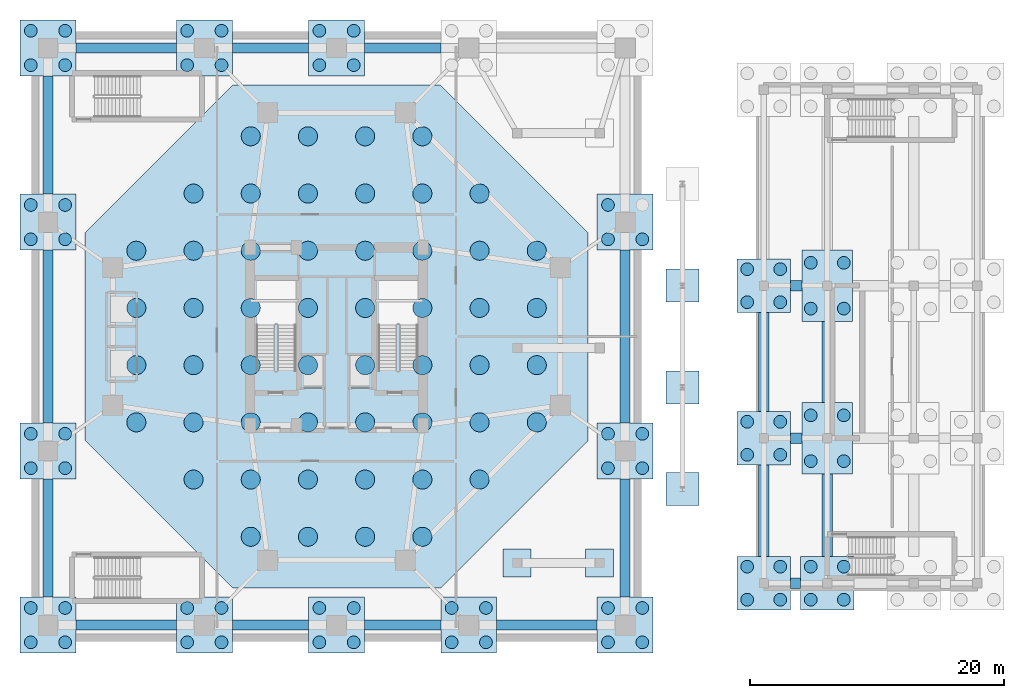
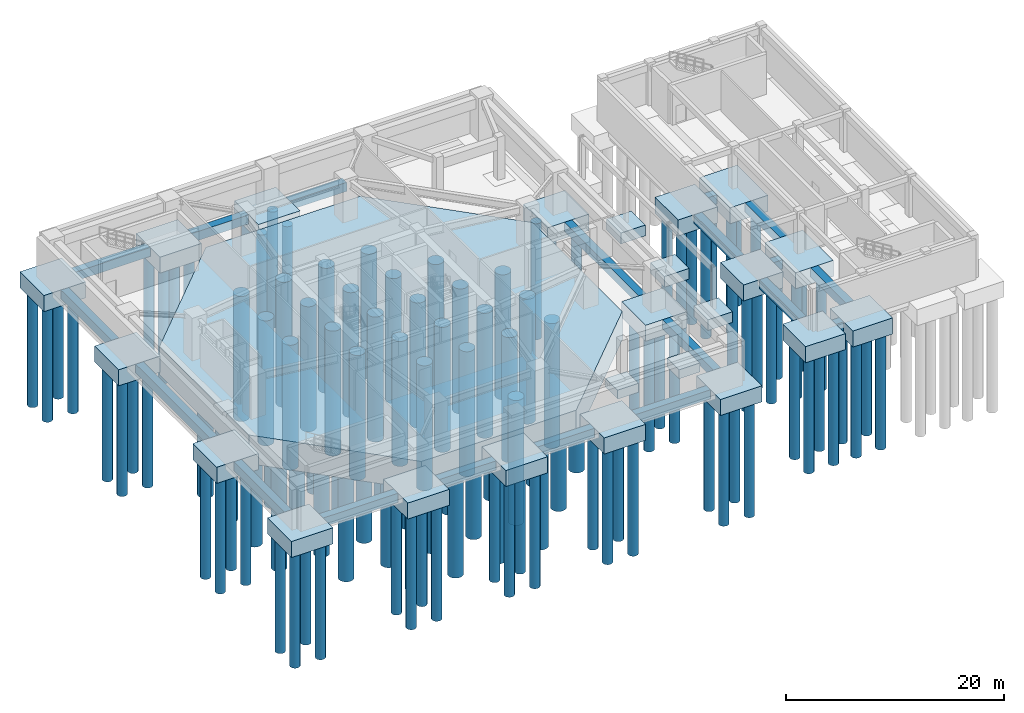
# One storey, part 1 of 11: 123 piles, 43 footings.
"""IFC4 building model written with IfcOpenShell, lengths in metres."""

import ifcopenshell
import ifcopenshell.guid

model = None  # the IFC model being written
_history = None  # IfcOwnerHistory: only IFC2X3 demands one
_inside = {}  # id of a spatial element -> (the spatial element, [elements in it])
_under = {}  # id of a project, library or spatial element -> (it, [spatial elements below it])
_declared = {}  # id of a project -> (the project, [libraries it declares])
_typed = {}  # id of a type object -> (the type object, [elements of that type])
_made_of = {}  # id of a material, layer set ... -> (it, [elements and type objects made of it])


def new_model(schema):
    """Start an empty IFC model of exactly this schema.

    Asked for "IFC4X3", IfcOpenShell would pick the latest addendum, in which some entities
    have other attributes; the version numbers below select the first issue.
    IFC2X3 requires an IfcOwnerHistory on every rooted entity: one is made here for all.
    """
    global model, _history
    if schema == "IFC4X3":
        model = ifcopenshell.file(schema_version=(4, 3, 0, 0))
    else:
        model = ifcopenshell.file(schema=schema)
    _inside.clear()
    _under.clear()
    _declared.clear()
    _typed.clear()
    _made_of.clear()
    _history = None
    if model.schema == "IFC2X3":
        org = make("IfcOrganization", Name="unknown")
        user = make(
            "IfcPersonAndOrganization",
            ThePerson=make("IfcPerson", FamilyName="unknown"),
            TheOrganization=org,
        )
        app = make(
            "IfcApplication",
            ApplicationDeveloper=org,
            Version="unknown",
            ApplicationFullName="unknown",
            ApplicationIdentifier="unknown",
        )
        _history = make(
            "IfcOwnerHistory",
            OwningUser=user,
            OwningApplication=app,
            ChangeAction="ADDED",
            CreationDate=0,
        )
    return model


def make(cls, **values):
    """One entity of the class cls with the attributes given. An attribute that is None is left unset."""
    return model.create_entity(
        cls, **{name: value for name, value in values.items() if value is not None}
    )


def rooted(cls, **values):
    """An entity with a GlobalId (a new one), such as an element, a storey or a relation."""
    return make(cls, GlobalId=ifcopenshell.guid.new(), OwnerHistory=_history, **values)


def si_unit(unit_type, name, prefix=None):
    """IfcSIUnit, for example si_unit("LENGTHUNIT", "METRE", prefix="MILLI")."""
    return make("IfcSIUnit", UnitType=unit_type, Prefix=prefix, Name=name)


def assignment(units):
    """IfcUnitAssignment: the units of a project."""
    return None if units is None else make("IfcUnitAssignment", Units=units)


def point(xyz):
    """IfcCartesianPoint."""
    return None if xyz is None else make("IfcCartesianPoint", Coordinates=xyz)


def direction(xyz):
    """IfcDirection."""
    return None if xyz is None else make("IfcDirection", DirectionRatios=xyz)


def frame(location, z_axis=None, x_axis=None):
    """IfcAxis2Placement3D, a coordinate frame: its origin and axes. An axis left out is left unset."""
    return make(
        "IfcAxis2Placement3D",
        Location=point(location),
        Axis=direction(z_axis),
        RefDirection=direction(x_axis),
    )


def frame_2d(location, x_axis=None):
    """IfcAxis2Placement2D, a coordinate frame in the plane: its origin and x axis."""
    return make(
        "IfcAxis2Placement2D", Location=point(location), RefDirection=direction(x_axis)
    )


def origin():
    """The frame at (0, 0, 0) with its axes left unset."""
    return frame((0.0, 0.0, 0.0))


def origin_2d():
    """The frame at (0, 0) in the plane with its x axis left unset."""
    return frame_2d((0.0, 0.0))


def place(relative_to, where):
    """IfcLocalPlacement: puts the frame where relative to a parent placement (None: the world)."""
    return make(
        "IfcLocalPlacement", PlacementRelTo=relative_to, RelativePlacement=where
    )


def context(
    kind, dimensions, precision=None, world=None, true_north=None, identifier=None
):
    """IfcGeometricRepresentationContext, for example the 3D "Model" context."""
    return make(
        "IfcGeometricRepresentationContext",
        ContextIdentifier=identifier,
        ContextType=kind,
        CoordinateSpaceDimension=dimensions,
        Precision=precision,
        WorldCoordinateSystem=world,
        TrueNorth=true_north,
    )


def subcontext(parent, identifier, kind, view, scale=None):
    """IfcGeometricRepresentationSubContext, for example "Body" below "Model"."""
    return make(
        "IfcGeometricRepresentationSubContext",
        ContextIdentifier=identifier,
        ContextType=kind,
        ParentContext=parent,
        TargetScale=scale,
        TargetView=view,
    )


def project(units=None, contexts=None):
    """IfcProject with its units and contexts."""
    return rooted(
        "IfcProject",
        Name="project",
        RepresentationContexts=contexts,
        UnitsInContext=assignment(units),
    )


def spatial(cls, under=None, at=None, **own):
    """A site, building, storey or space (cls), placed at a placement, below another one or the project."""
    s = rooted(cls, ObjectPlacement=at, **own)
    if under is not None:
        _under.setdefault(under.id(), (under, []))[1].append(s)
    return s


def polyline(points):
    """IfcPolyline through the points."""
    return make("IfcPolyline", Points=[point(p) for p in points])


def profile(cls, at=None, kind="AREA", **sizes):
    """A parametric profile (cls). Its sizes go by their IFC names, for example OverallWidth=200.0."""
    return make(cls, ProfileType=kind, Position=at, **sizes)


def rectangle(**sizes):
    """IfcRectangleProfileDef."""
    return profile("IfcRectangleProfileDef", **sizes)


def circle(**sizes):
    """IfcCircleProfileDef."""
    return profile("IfcCircleProfileDef", **sizes)


def outline(outer, holes=None, kind="AREA"):
    """IfcArbitraryClosedProfileDef: a profile drawn as a closed curve; with holes, ...WithVoids."""
    if holes is None:
        return make("IfcArbitraryClosedProfileDef", ProfileType=kind, OuterCurve=outer)
    return make(
        "IfcArbitraryProfileDefWithVoids",
        ProfileType=kind,
        OuterCurve=outer,
        InnerCurves=holes,
    )


def extrude(swept, where, along, depth):
    """IfcExtrudedAreaSolid: the profile swept, set in the frame where, extruded along a direction by depth."""
    return make(
        "IfcExtrudedAreaSolid",
        SweptArea=swept,
        Position=where,
        ExtrudedDirection=direction(along),
        Depth=depth,
    )


def shape(context_of_items, identifier, shape_type, items):
    """IfcShapeRepresentation: the items that make up one representation, for example the "Body"."""
    return make(
        "IfcShapeRepresentation",
        ContextOfItems=context_of_items,
        RepresentationIdentifier=identifier,
        RepresentationType=shape_type,
        Items=items,
    )


def source(mapping_origin, context_of_items, identifier, shape_type, items):
    """IfcRepresentationMap: a shape defined once, which mapped items show again and again."""
    return make(
        "IfcRepresentationMap",
        MappingOrigin=mapping_origin,
        MappedRepresentation=shape(context_of_items, identifier, shape_type, items),
    )


def transform(
    local_origin,
    x_axis=None,
    y_axis=None,
    z_axis=None,
    scale=None,
    scale2=None,
    scale3=None,
    uniform=True,
):
    """IfcCartesianTransformationOperator3D, or its non-uniform kind. x_axis, y_axis, z_axis: its Axis1, 2, 3."""
    if uniform:
        return make(
            "IfcCartesianTransformationOperator3D",
            Axis1=direction(x_axis),
            Axis2=direction(y_axis),
            LocalOrigin=point(local_origin),
            Scale=scale,
            Axis3=direction(z_axis),
        )
    return make(
        "IfcCartesianTransformationOperator3DnonUniform",
        Axis1=direction(x_axis),
        Axis2=direction(y_axis),
        LocalOrigin=point(local_origin),
        Scale=scale,
        Axis3=direction(z_axis),
        Scale2=scale2,
        Scale3=scale3,
    )


def mapped(mapping_source, mapping_target):
    """IfcMappedItem: shows the shape of a source again, moved by a transform."""
    return make(
        "IfcMappedItem", MappingSource=mapping_source, MappingTarget=mapping_target
    )


def material(Name=None, Category=None):
    """IfcMaterial."""
    return make("IfcMaterial", Name=Name, Category=Category)


def material_profile(
    of_material, cross_section, Name=None, Category=None, Priority=None
):
    """IfcMaterialProfile: a cross section and its material."""
    return make(
        "IfcMaterialProfile",
        Name=Name,
        Material=of_material,
        Profile=cross_section,
        Priority=Priority,
        Category=Category,
    )


def profile_set(profiles, Name=None, composite=None):
    """IfcMaterialProfileSet."""
    return make(
        "IfcMaterialProfileSet",
        Name=Name,
        MaterialProfiles=profiles,
        CompositeProfile=composite,
    )


def made_of(thing, what):
    """Note that an element or type object is made of a material, layer set ...; save() writes the relation."""
    if what is not None:
        _made_of.setdefault(what.id(), (what, []))[1].append(thing)
    return thing


def type_object(cls, material=None, **own):
    """A type object (cls), such as IfcWallType, which elements share."""
    return made_of(rooted(cls, **own), material)


def element(
    cls,
    number,
    at=None,
    inside=None,
    cuts=None,
    type_object=None,
    material=None,
    context=None,
    identifier="Body",
    shape_type=None,
    held_by="IfcProductDefinitionShape",
    body=None,
    shapes=None,
    **own,
):
    """One element of the class cls, such as IfcWall. Its Tag is "e" and its number.

    at: its placement. inside: the storey or other place that contains it. cuts: it is an
    opening in that element (IfcRelVoidsElement). A single representation is given by context,
    identifier, shape_type and body (its items); several are given by shapes. held_by: the class
    of the entity that holds the representations. save() writes the other relations.
    """
    e = rooted(cls, Tag="e%d" % number, ObjectPlacement=at, **own)
    if body is not None:
        shapes = [shape(context, identifier, shape_type, body)]
    if shapes is not None:
        e.Representation = make(held_by, Representations=shapes)
    if inside is not None:
        _inside.setdefault(inside.id(), (inside, []))[1].append(e)
    if cuts is not None:
        rooted(
            "IfcRelVoidsElement", RelatingBuildingElement=cuts, RelatedOpeningElement=e
        )
    if type_object is not None:
        _typed.setdefault(type_object.id(), (type_object, []))[1].append(e)
    return made_of(e, material)


def aggregate(whole, parts):
    """IfcRelAggregates: a whole, such as a stair, and the parts it consists of."""
    return rooted("IfcRelAggregates", RelatingObject=whole, RelatedObjects=parts)


def save(model, path):
    """Write the relations noted so far, then the file.

    IfcRelAggregates (storeys below a building ...), IfcRelContainedInSpatialStructure (elements
    in a storey), IfcRelDefinesByType, IfcRelAssociatesMaterial and IfcRelDeclares: one each for
    every whole, place, type object, material and project.
    """
    for whole, parts in _under.values():
        aggregate(whole, parts)
    for where, things in _inside.values():
        rooted(
            "IfcRelContainedInSpatialStructure",
            RelatedElements=things,
            RelatingStructure=where,
        )
    for kind, things in _typed.values():
        rooted("IfcRelDefinesByType", RelatedObjects=things, RelatingType=kind)
    for what, things in _made_of.values():
        rooted("IfcRelAssociatesMaterial", RelatedObjects=things, RelatingMaterial=what)
    for by, libraries in _declared.values():
        rooted("IfcRelDeclares", RelatingContext=by, RelatedDefinitions=libraries)
    model.write(path)


model = new_model("IFC4")

# Units and contexts
model_context = context("Model", 3, precision=1e-05, world=origin(), true_north=direction((0.0, 1.0)))
body_context = subcontext(model_context, "Body", "Model", "MODEL_VIEW")
ifc_project = project(units=[si_unit("LENGTHUNIT", "METRE"), si_unit("AREAUNIT", "SQUARE_METRE"), si_unit("VOLUMEUNIT", "CUBIC_METRE"), si_unit("PLANEANGLEUNIT", "RADIAN"), si_unit("MASSUNIT", "GRAM", prefix="KILO")], contexts=[model_context])

# Site, building, storey
site_placement = place(None, origin())
site = spatial("IfcSite", under=ifc_project, at=site_placement, CompositionType="ELEMENT")
building_placement = place(site_placement, origin())
building = spatial("IfcBuilding", under=site, at=building_placement, Name="Veraguas Prism Commons", CompositionType="ELEMENT")
storey_placement = place(building_placement, frame((0.0, 0.0, -10.0)))
storey = spatial("IfcBuildingStorey", under=building, at=storey_placement, Name="B2", CompositionType="ELEMENT", Elevation=-10.0)

# Footings
ifc_material = material(Name="Concrete C45/55", Category="concrete")
footing_type_1 = type_object("IfcFootingType", Name="Octagonal Tower Piled Raft 3200", PredefinedType="CAISSON_FOUNDATION", material=ifc_material)
footing_1_placement = place(storey_placement, frame((0.0, 0.0, -3.199951171875)))
element("IfcFooting", 1, at=footing_1_placement, inside=storey, type_object=footing_type_1, Name="Octagonal Piled Raft", PredefinedType="CAISSON_FOUNDATION", context=body_context, shape_type="SweptSolid", body=[
    extrude(outline(polyline([(43.77099609375, 32.189453125), (32.189453125, 43.77099609375), (15.810546875, 43.77099609375), (4.22900390625, 32.189453125), (4.22900390625, 15.810546875), (15.810546875, 4.22900390625), (32.189453125, 4.22900390625), (43.77099609375, 15.810546875), (43.77099609375, 32.189453125)])), origin(), (0.0, 0.0, 1.0), 3.199951171875),
])
ifc_material_profile_1 = material_profile(ifc_material, rectangle(XDim=0.800048828125, YDim=1.0, at=origin_2d()), Name="RC800X1000")
ifc_profile_set_1 = profile_set([ifc_material_profile_1], Name="Concrete C45/55")
footing_type_2 = type_object("IfcFootingType", Name="Substructure Ground Tie Beam RC 800x1000", PredefinedType="FOOTING_BEAM", material=ifc_profile_set_1)
footing_2_placement = place(storey_placement, frame((3.5, 1.300048828125, -0.5), z_axis=(1.0, 0.0, 0.0), x_axis=(0.0, 1.0, 0.0)))
element("IfcFooting", 2, at=footing_2_placement, inside=storey, type_object=footing_type_2, Name="Podium Ground Tie Beam FBP-01", PredefinedType="FOOTING_BEAM", context=body_context, shape_type="SweptSolid", body=[
    extrude(rectangle(XDim=0.800048828125, YDim=1.0, at=origin_2d()), origin(), (0.0, 0.0, 1.0), 7.89990234375),
])
for number, where, z_axis, x_axis, name in (
    (3, (15.800048828125, 1.300048828125, -0.5), (1.0, 0.0, 0.0), (0.0, 1.0, 0.0), "Podium Ground Tie Beam FBP-02"),
    (4, (26.199951171875, 1.300048828125, -0.5), (1.0, 0.0, 0.0), (0.0, 1.0, 0.0), "Podium Ground Tie Beam FBP-03"),
):
    element("IfcFooting", number, at=place(storey_placement, frame(where, z_axis=z_axis, x_axis=x_axis)), inside=storey, type_object=footing_type_2, Name=name, PredefinedType="FOOTING_BEAM", context=body_context, shape_type="SweptSolid", body=[
        extrude(rectangle(XDim=0.800048828125, YDim=1.0, at=origin_2d()), origin(), (0.0, 0.0, 1.0), 6.0),
    ])
footing_3_placement = place(storey_placement, frame((36.60009765625, 1.300048828125, -0.5), z_axis=(1.0, 0.0, 0.0), x_axis=(0.0, 1.0, 0.0)))
element("IfcFooting", 5, at=footing_3_placement, inside=storey, type_object=footing_type_2, Name="Podium Ground Tie Beam FBP-04", PredefinedType="FOOTING_BEAM", context=body_context, shape_type="SweptSolid", body=[
    extrude(rectangle(XDim=0.800048828125, YDim=1.0, at=origin_2d()), origin(), (0.0, 0.0, 1.0), 7.89990234375),
])
footing_4_placement = place(storey_placement, frame((46.699951171875, 3.5, -0.5), z_axis=(0.0, 1.0, 0.0), x_axis=(-1.0, 0.0, 0.0)))
element("IfcFooting", 6, at=footing_4_placement, inside=storey, type_object=footing_type_2, Name="Podium Ground Tie Beam FBP-05", PredefinedType="FOOTING_BEAM", context=body_context, shape_type="SweptSolid", body=[
    extrude(rectangle(XDim=0.800048828125, YDim=1.0, at=origin_2d()), origin(), (0.0, 0.0, 1.0), 9.300048828125),
])
footing_5_placement = place(storey_placement, frame((46.699951171875, 17.199951171875, -0.5), z_axis=(0.0, 1.0, 0.0), x_axis=(-1.0, 0.0, 0.0)))
element("IfcFooting", 7, at=footing_5_placement, inside=storey, type_object=footing_type_2, Name="Podium Ground Tie Beam FBP-06", PredefinedType="FOOTING_BEAM", context=body_context, shape_type="SweptSolid", body=[
    extrude(rectangle(XDim=0.800048828125, YDim=1.0, at=origin_2d()), origin(), (0.0, 0.0, 1.0), 13.60009765625),
])
for number, where, z_axis, x_axis, name in (
    (8, (32.199951171875, 46.699951171875, -0.5), (-1.0, 0.0, 0.0), (0.0, -1.0, 0.0), "Podium Ground Tie Beam FBP-09"),
    (9, (21.800048828125, 46.699951171875, -0.5), (-1.0, 0.0, 0.0), (0.0, -1.0, 0.0), "Podium Ground Tie Beam FBP-10"),
):
    element("IfcFooting", number, at=place(storey_placement, frame(where, z_axis=z_axis, x_axis=x_axis)), inside=storey, type_object=footing_type_2, Name=name, PredefinedType="FOOTING_BEAM", context=body_context, shape_type="SweptSolid", body=[
        extrude(rectangle(XDim=0.800048828125, YDim=1.0, at=origin_2d()), origin(), (0.0, 0.0, 1.0), 6.0),
    ])
footing_6_placement = place(storey_placement, frame((11.39990234375, 46.699951171875, -0.5), z_axis=(-1.0, 0.0, 0.0), x_axis=(0.0, -1.0, 0.0)))
element("IfcFooting", 10, at=footing_6_placement, inside=storey, type_object=footing_type_2, Name="Podium Ground Tie Beam FBP-11", PredefinedType="FOOTING_BEAM", context=body_context, shape_type="SweptSolid", body=[
    extrude(rectangle(XDim=0.800048828125, YDim=1.0, at=origin_2d()), origin(), (0.0, 0.0, 1.0), 7.89990234375),
])
footing_7_placement = place(storey_placement, frame((1.300048828125, 44.5, -0.5), z_axis=(0.0, -1.0, 0.0), x_axis=(1.0, 0.0, 0.0)))
element("IfcFooting", 11, at=footing_7_placement, inside=storey, type_object=footing_type_2, Name="Podium Ground Tie Beam FBP-12", PredefinedType="FOOTING_BEAM", context=body_context, shape_type="SweptSolid", body=[
    extrude(rectangle(XDim=0.800048828125, YDim=1.0, at=origin_2d()), origin(), (0.0, 0.0, 1.0), 9.300048828125),
])
footing_8_placement = place(storey_placement, frame((1.300048828125, 30.800048828125, -0.5), z_axis=(0.0, -1.0, 0.0), x_axis=(1.0, 0.0, 0.0)))
element("IfcFooting", 12, at=footing_8_placement, inside=storey, type_object=footing_type_2, Name="Podium Ground Tie Beam FBP-13", PredefinedType="FOOTING_BEAM", context=body_context, shape_type="SweptSolid", body=[
    extrude(rectangle(XDim=0.800048828125, YDim=1.0, at=origin_2d()), origin(), (0.0, 0.0, 1.0), 13.60009765625),
])
footing_9_placement = place(storey_placement, frame((1.300048828125, 12.800048828125, -0.5), z_axis=(0.0, -1.0, 0.0), x_axis=(1.0, 0.0, 0.0)))
element("IfcFooting", 13, at=footing_9_placement, inside=storey, type_object=footing_type_2, Name="Podium Ground Tie Beam FBP-14", PredefinedType="FOOTING_BEAM", context=body_context, shape_type="SweptSolid", body=[
    extrude(rectangle(XDim=0.800048828125, YDim=1.0, at=origin_2d()), origin(), (0.0, 0.0, 1.0), 9.300048828125),
])
footing_10_placement = place(storey_placement, frame((59.699951171875, 4.60009765625, -0.5), z_axis=(1.0, 0.0, 0.0), x_axis=(0.0, 1.0, 0.0)))
element("IfcFooting", 14, at=footing_10_placement, inside=storey, type_object=footing_type_2, Name="Health Centre Ground Tie Beam FBC-01", PredefinedType="FOOTING_BEAM", context=body_context, shape_type="SweptSolid", body=[
    extrude(rectangle(XDim=0.800048828125, YDim=1.0, at=origin_2d()), origin(), (0.0, 0.0, 1.0), 0.800048828125),
])
for number, where, z_axis, x_axis, name in (
    (15, (59.699951171875, 16.0, -0.5), (1.0, 0.0, 0.0), (0.0, 1.0, 0.0), "Health Centre Ground Tie Beam FBC-04"),
    (16, (59.699951171875, 28.0, -0.5), (1.0, 0.0, 0.0), (0.0, 1.0, 0.0), "Health Centre Ground Tie Beam FBC-07"),
):
    element("IfcFooting", number, at=place(storey_placement, frame(where, z_axis=z_axis, x_axis=x_axis)), inside=storey, type_object=footing_type_2, Name=name, PredefinedType="FOOTING_BEAM", context=body_context, shape_type="SweptSolid", body=[
        extrude(rectangle(XDim=0.800048828125, YDim=1.0, at=origin_2d()), origin(), (0.0, 0.0, 1.0), 0.900146484375),
    ])
footing_11_placement = place(storey_placement, frame((57.60009765625, 6.699951171875, -0.5), z_axis=(0.0, 1.0, 0.0), x_axis=(-1.0, 0.0, 0.0)))
element("IfcFooting", 17, at=footing_11_placement, inside=storey, type_object=footing_type_2, Name="Health Centre Ground Tie Beam FBC-13", PredefinedType="FOOTING_BEAM", context=body_context, shape_type="SweptSolid", body=[
    extrude(rectangle(XDim=0.800048828125, YDim=1.0, at=origin_2d()), origin(), (0.0, 0.0, 1.0), 7.199951171875),
])
footing_12_placement = place(storey_placement, frame((57.60009765625, 18.10009765625, -0.5), z_axis=(0.0, 1.0, 0.0), x_axis=(-1.0, 0.0, 0.0)))
element("IfcFooting", 18, at=footing_12_placement, inside=storey, type_object=footing_type_2, Name="Health Centre Ground Tie Beam FBC-14", PredefinedType="FOOTING_BEAM", context=body_context, shape_type="SweptSolid", body=[
    extrude(rectangle(XDim=0.800048828125, YDim=1.0, at=origin_2d()), origin(), (0.0, 0.0, 1.0), 7.7998046875),
])
footing_13_placement = place(storey_placement, frame((62.60009765625, 6.699951171875, -0.5), z_axis=(0.0, 1.0, 0.0), x_axis=(-1.0, 0.0, 0.0)))
element("IfcFooting", 19, at=footing_13_placement, inside=storey, type_object=footing_type_2, Name="Health Centre Ground Tie Beam FBC-16", PredefinedType="FOOTING_BEAM", context=body_context, shape_type="SweptSolid", body=[
    extrude(rectangle(XDim=0.800048828125, YDim=1.0, at=origin_2d()), origin(), (0.0, 0.0, 1.0), 6.5),
])
footing_14_placement = place(storey_placement, frame((62.60009765625, 18.800048828125, -0.5), z_axis=(0.0, 1.0, 0.0), x_axis=(-1.0, 0.0, 0.0)))
element("IfcFooting", 20, at=footing_14_placement, inside=storey, type_object=footing_type_2, Name="Health Centre Ground Tie Beam FBC-17", PredefinedType="FOOTING_BEAM", context=body_context, shape_type="SweptSolid", body=[
    extrude(rectangle(XDim=0.800048828125, YDim=1.0, at=origin_2d()), origin(), (0.0, 0.0, 1.0), 6.39990234375),
])

# Piles
ifc_material_profile_2 = material_profile(ifc_material, circle(Radius=0.75, at=origin_2d()), Name="PILE1500")
ifc_profile_set_2 = profile_set([ifc_material_profile_2], Name="Concrete C45/55")
pile_type_1 = type_object("IfcPileType", Name="Bored Socketed Pile D1500", PredefinedType="BORED", material=ifc_profile_set_2)
shared_shape_1 = source(origin(), body_context, "Body", "SweptSolid", [
    extrude(circle(Radius=0.75, at=origin_2d()), origin(), (0.0, 0.0, 1.0), 14.0),
])
for number, where, z_axis, x_axis, name in (
    (21, (8.25, 17.25, -3.050048828125), (0.0, 0.0, -1.0), (1.0, 0.0, 0.0), "Bored Socketed Pile T001"),
    (22, (8.25, 21.75, -3.050048828125), (0.0, 0.0, -1.0), (1.0, 0.0, 0.0), "Bored Socketed Pile T002"),
    (23, (8.25, 26.25, -3.050048828125), (0.0, 0.0, -1.0), (1.0, 0.0, 0.0), "Bored Socketed Pile T003"),
    (24, (8.25, 30.75, -3.050048828125), (0.0, 0.0, -1.0), (1.0, 0.0, 0.0), "Bored Socketed Pile T004"),
    (25, (12.75, 12.75, -3.050048828125), (0.0, 0.0, -1.0), (1.0, 0.0, 0.0), "Bored Socketed Pile T005"),
    (26, (12.75, 17.25, -3.050048828125), (0.0, 0.0, -1.0), (1.0, 0.0, 0.0), "Bored Socketed Pile T006"),
    (27, (12.75, 21.75, -3.050048828125), (0.0, 0.0, -1.0), (1.0, 0.0, 0.0), "Bored Socketed Pile T007"),
    (28, (12.75, 26.25, -3.050048828125), (0.0, 0.0, -1.0), (1.0, 0.0, 0.0), "Bored Socketed Pile T008"),
    (29, (12.75, 30.75, -3.050048828125), (0.0, 0.0, -1.0), (1.0, 0.0, 0.0), "Bored Socketed Pile T009"),
    (30, (12.75, 35.25, -3.050048828125), (0.0, 0.0, -1.0), (1.0, 0.0, 0.0), "Bored Socketed Pile T010"),
    (31, (17.25, 8.25, -3.050048828125), (0.0, 0.0, -1.0), (1.0, 0.0, 0.0), "Bored Socketed Pile T011"),
    (32, (17.25, 12.75, -3.050048828125), (0.0, 0.0, -1.0), (1.0, 0.0, 0.0), "Bored Socketed Pile T012"),
    (33, (17.25, 17.25, -3.050048828125), (0.0, 0.0, -1.0), (1.0, 0.0, 0.0), "Bored Socketed Pile T013"),
    (34, (17.25, 21.75, -3.050048828125), (0.0, 0.0, -1.0), (1.0, 0.0, 0.0), "Bored Socketed Pile T014"),
    (35, (17.25, 26.25, -3.050048828125), (0.0, 0.0, -1.0), (1.0, 0.0, 0.0), "Bored Socketed Pile T015"),
    (36, (17.25, 30.75, -3.050048828125), (0.0, 0.0, -1.0), (1.0, 0.0, 0.0), "Bored Socketed Pile T016"),
    (37, (17.25, 35.25, -3.050048828125), (0.0, 0.0, -1.0), (1.0, 0.0, 0.0), "Bored Socketed Pile T017"),
    (38, (17.25, 39.75, -3.050048828125), (0.0, 0.0, -1.0), (1.0, 0.0, 0.0), "Bored Socketed Pile T018"),
    (39, (21.75, 8.25, -3.050048828125), (0.0, 0.0, -1.0), (1.0, 0.0, 0.0), "Bored Socketed Pile T019"),
    (40, (21.75, 12.75, -3.050048828125), (0.0, 0.0, -1.0), (1.0, 0.0, 0.0), "Bored Socketed Pile T020"),
    (41, (21.75, 17.25, -3.050048828125), (0.0, 0.0, -1.0), (1.0, 0.0, 0.0), "Bored Socketed Pile T021"),
    (42, (21.75, 21.75, -3.050048828125), (0.0, 0.0, -1.0), (1.0, 0.0, 0.0), "Bored Socketed Pile T022"),
    (43, (21.75, 26.25, -3.050048828125), (0.0, 0.0, -1.0), (1.0, 0.0, 0.0), "Bored Socketed Pile T023"),
    (44, (21.75, 30.75, -3.050048828125), (0.0, 0.0, -1.0), (1.0, 0.0, 0.0), "Bored Socketed Pile T024"),
    (45, (21.75, 35.25, -3.050048828125), (0.0, 0.0, -1.0), (1.0, 0.0, 0.0), "Bored Socketed Pile T025"),
    (46, (21.75, 39.75, -3.050048828125), (0.0, 0.0, -1.0), (1.0, 0.0, 0.0), "Bored Socketed Pile T026"),
    (47, (26.25, 8.25, -3.050048828125), (0.0, 0.0, -1.0), (1.0, 0.0, 0.0), "Bored Socketed Pile T027"),
    (48, (26.25, 12.75, -3.050048828125), (0.0, 0.0, -1.0), (1.0, 0.0, 0.0), "Bored Socketed Pile T028"),
    (49, (26.25, 17.25, -3.050048828125), (0.0, 0.0, -1.0), (1.0, 0.0, 0.0), "Bored Socketed Pile T029"),
    (50, (26.25, 21.75, -3.050048828125), (0.0, 0.0, -1.0), (1.0, 0.0, 0.0), "Bored Socketed Pile T030"),
    (51, (26.25, 26.25, -3.050048828125), (0.0, 0.0, -1.0), (1.0, 0.0, 0.0), "Bored Socketed Pile T031"),
    (52, (26.25, 30.75, -3.050048828125), (0.0, 0.0, -1.0), (1.0, 0.0, 0.0), "Bored Socketed Pile T032"),
    (53, (26.25, 35.25, -3.050048828125), (0.0, 0.0, -1.0), (1.0, 0.0, 0.0), "Bored Socketed Pile T033"),
    (54, (26.25, 39.75, -3.050048828125), (0.0, 0.0, -1.0), (1.0, 0.0, 0.0), "Bored Socketed Pile T034"),
    (55, (30.75, 8.25, -3.050048828125), (0.0, 0.0, -1.0), (1.0, 0.0, 0.0), "Bored Socketed Pile T035"),
    (56, (30.75, 12.75, -3.050048828125), (0.0, 0.0, -1.0), (1.0, 0.0, 0.0), "Bored Socketed Pile T036"),
    (57, (30.75, 17.25, -3.050048828125), (0.0, 0.0, -1.0), (1.0, 0.0, 0.0), "Bored Socketed Pile T037"),
    (58, (30.75, 21.75, -3.050048828125), (0.0, 0.0, -1.0), (1.0, 0.0, 0.0), "Bored Socketed Pile T038"),
    (59, (30.75, 26.25, -3.050048828125), (0.0, 0.0, -1.0), (1.0, 0.0, 0.0), "Bored Socketed Pile T039"),
    (60, (30.75, 30.75, -3.050048828125), (0.0, 0.0, -1.0), (1.0, 0.0, 0.0), "Bored Socketed Pile T040"),
    (61, (30.75, 35.25, -3.050048828125), (0.0, 0.0, -1.0), (1.0, 0.0, 0.0), "Bored Socketed Pile T041"),
    (62, (30.75, 39.75, -3.050048828125), (0.0, 0.0, -1.0), (1.0, 0.0, 0.0), "Bored Socketed Pile T042"),
    (63, (35.25, 12.75, -3.050048828125), (0.0, 0.0, -1.0), (1.0, 0.0, 0.0), "Bored Socketed Pile T043"),
    (64, (35.25, 17.25, -3.050048828125), (0.0, 0.0, -1.0), (1.0, 0.0, 0.0), "Bored Socketed Pile T044"),
    (65, (35.25, 21.75, -3.050048828125), (0.0, 0.0, -1.0), (1.0, 0.0, 0.0), "Bored Socketed Pile T045"),
    (66, (35.25, 26.25, -3.050048828125), (0.0, 0.0, -1.0), (1.0, 0.0, 0.0), "Bored Socketed Pile T046"),
    (67, (35.25, 30.75, -3.050048828125), (0.0, 0.0, -1.0), (1.0, 0.0, 0.0), "Bored Socketed Pile T047"),
    (68, (35.25, 35.25, -3.050048828125), (0.0, 0.0, -1.0), (1.0, 0.0, 0.0), "Bored Socketed Pile T048"),
    (69, (39.75, 17.25, -3.050048828125), (0.0, 0.0, -1.0), (1.0, 0.0, 0.0), "Bored Socketed Pile T049"),
    (70, (39.75, 21.75, -3.050048828125), (0.0, 0.0, -1.0), (1.0, 0.0, 0.0), "Bored Socketed Pile T050"),
    (71, (39.75, 26.25, -3.050048828125), (0.0, 0.0, -1.0), (1.0, 0.0, 0.0), "Bored Socketed Pile T051"),
    (72, (39.75, 30.75, -3.050048828125), (0.0, 0.0, -1.0), (1.0, 0.0, 0.0), "Bored Socketed Pile T052"),
):
    element("IfcPile", number, at=place(storey_placement, frame(where, z_axis=z_axis, x_axis=x_axis)), inside=storey, type_object=pile_type_1, Name=name, PredefinedType="BORED", context=body_context, shape_type="MappedRepresentation", body=[
        mapped(shared_shape_1, transform((0.0, 0.0, 0.0), scale=1.0)),
    ])

# Footings
footing_type_3 = type_object("IfcFootingType", Name="Podium 4-Pile Column Cap 4400x4400x1800", PredefinedType="PILE_CAP", material=ifc_material)
shared_shape_2 = source(origin(), body_context, "Body", "SweptSolid", [
    extrude(rectangle(XDim=4.39990234375, YDim=4.39990234375, at=origin_2d()), origin(), (0.0, 0.0, 1.0), 1.800048828125),
])
for number, where, z_axis, x_axis, name in (
    (73, (1.300048828125, 1.300048828125, -1.7998046875), (0.0, 0.0, 1.0), (1.0, 0.0, 0.0), "Podium Pile Cap PC1-01"),
    (74, (13.60009765625, 1.300048828125, -1.7998046875), (0.0, 0.0, 1.0), (1.0, 0.0, 0.0), "Podium Pile Cap PC1-02"),
    (75, (24.0, 1.300048828125, -1.7998046875), (0.0, 0.0, 1.0), (1.0, 0.0, 0.0), "Podium Pile Cap PC1-03"),
    (76, (34.39990234375, 1.300048828125, -1.7998046875), (0.0, 0.0, 1.0), (1.0, 0.0, 0.0), "Podium Pile Cap PC1-04"),
    (77, (46.699951171875, 1.300048828125, -1.7998046875), (0.0, 0.0, 1.0), (1.0, 0.0, 0.0), "Podium Pile Cap PC1-05"),
    (78, (1.300048828125, 15.0, -1.7998046875), (0.0, 0.0, 1.0), (1.0, 0.0, 0.0), "Podium Pile Cap PC1-06"),
    (79, (46.699951171875, 15.0, -1.7998046875), (0.0, 0.0, 1.0), (1.0, 0.0, 0.0), "Podium Pile Cap PC1-07"),
    (80, (1.300048828125, 33.0, -1.7998046875), (0.0, 0.0, 1.0), (1.0, 0.0, 0.0), "Podium Pile Cap PC1-08"),
    (81, (46.699951171875, 33.0, -1.7998046875), (0.0, 0.0, 1.0), (1.0, 0.0, 0.0), "Podium Pile Cap PC1-09"),
    (82, (1.300048828125, 46.699951171875, -1.7998046875), (0.0, 0.0, 1.0), (1.0, 0.0, 0.0), "Podium Pile Cap PC1-10"),
    (83, (13.60009765625, 46.699951171875, -1.7998046875), (0.0, 0.0, 1.0), (1.0, 0.0, 0.0), "Podium Pile Cap PC1-11"),
    (84, (24.0, 46.699951171875, -1.7998046875), (0.0, 0.0, 1.0), (1.0, 0.0, 0.0), "Podium Pile Cap PC1-12"),
):
    element("IfcFooting", number, at=place(storey_placement, frame(where, z_axis=z_axis, x_axis=x_axis)), inside=storey, type_object=footing_type_3, Name=name, PredefinedType="PILE_CAP", context=body_context, shape_type="MappedRepresentation", body=[
        mapped(shared_shape_2, transform((0.0, 0.0, 0.0), scale=1.0)),
    ])

# Piles
ifc_material_profile_3 = material_profile(ifc_material, circle(Radius=0.5, at=origin_2d()), Name="PILE1000")
ifc_profile_set_3 = profile_set([ifc_material_profile_3], Name="Concrete C45/55")
pile_type_2 = type_object("IfcPileType", Name="Bored Socketed Pile D1000", PredefinedType="BORED", material=ifc_profile_set_3)
shared_shape_3 = source(origin(), body_context, "Body", "SweptSolid", [
    extrude(circle(Radius=0.5, at=origin_2d()), origin(), (0.0, 0.0, 1.0), 13.0),
])
for number, where, z_axis, x_axis, name in (
    (85, (-0.050048828125, -0.050048828125, -1.64990234375), (0.0, 0.0, -1.0), (1.0, 0.0, 0.0), "Bored Socketed Pile P053"),
    (86, (-0.050048828125, 2.64990234375, -1.64990234375), (0.0, 0.0, -1.0), (1.0, 0.0, 0.0), "Bored Socketed Pile P054"),
    (87, (2.64990234375, -0.050048828125, -1.64990234375), (0.0, 0.0, -1.0), (1.0, 0.0, 0.0), "Bored Socketed Pile P055"),
    (88, (2.64990234375, 2.64990234375, -1.64990234375), (0.0, 0.0, -1.0), (1.0, 0.0, 0.0), "Bored Socketed Pile P056"),
    (89, (12.25, -0.050048828125, -1.64990234375), (0.0, 0.0, -1.0), (1.0, 0.0, 0.0), "Bored Socketed Pile P057"),
    (90, (12.25, 2.64990234375, -1.64990234375), (0.0, 0.0, -1.0), (1.0, 0.0, 0.0), "Bored Socketed Pile P058"),
    (91, (14.949951171875, -0.050048828125, -1.64990234375), (0.0, 0.0, -1.0), (1.0, 0.0, 0.0), "Bored Socketed Pile P059"),
    (92, (14.949951171875, 2.64990234375, -1.64990234375), (0.0, 0.0, -1.0), (1.0, 0.0, 0.0), "Bored Socketed Pile P060"),
    (93, (22.64990234375, -0.050048828125, -1.64990234375), (0.0, 0.0, -1.0), (1.0, 0.0, 0.0), "Bored Socketed Pile P061"),
    (94, (22.64990234375, 2.64990234375, -1.64990234375), (0.0, 0.0, -1.0), (1.0, 0.0, 0.0), "Bored Socketed Pile P062"),
    (95, (25.35009765625, -0.050048828125, -1.64990234375), (0.0, 0.0, -1.0), (1.0, 0.0, 0.0), "Bored Socketed Pile P063"),
    (96, (25.35009765625, 2.64990234375, -1.64990234375), (0.0, 0.0, -1.0), (1.0, 0.0, 0.0), "Bored Socketed Pile P064"),
    (97, (33.050048828125, -0.050048828125, -1.64990234375), (0.0, 0.0, -1.0), (1.0, 0.0, 0.0), "Bored Socketed Pile P065"),
    (98, (33.050048828125, 2.64990234375, -1.64990234375), (0.0, 0.0, -1.0), (1.0, 0.0, 0.0), "Bored Socketed Pile P066"),
    (99, (35.75, -0.050048828125, -1.64990234375), (0.0, 0.0, -1.0), (1.0, 0.0, 0.0), "Bored Socketed Pile P067"),
    (100, (35.75, 2.64990234375, -1.64990234375), (0.0, 0.0, -1.0), (1.0, 0.0, 0.0), "Bored Socketed Pile P068"),
    (101, (45.35009765625, -0.050048828125, -1.64990234375), (0.0, 0.0, -1.0), (1.0, 0.0, 0.0), "Bored Socketed Pile P069"),
    (102, (45.35009765625, 2.64990234375, -1.64990234375), (0.0, 0.0, -1.0), (1.0, 0.0, 0.0), "Bored Socketed Pile P070"),
    (103, (48.050048828125, -0.050048828125, -1.64990234375), (0.0, 0.0, -1.0), (1.0, 0.0, 0.0), "Bored Socketed Pile P071"),
    (104, (48.050048828125, 2.64990234375, -1.64990234375), (0.0, 0.0, -1.0), (1.0, 0.0, 0.0), "Bored Socketed Pile P072"),
    (105, (-0.050048828125, 13.64990234375, -1.64990234375), (0.0, 0.0, -1.0), (1.0, 0.0, 0.0), "Bored Socketed Pile P073"),
    (106, (-0.050048828125, 16.35009765625, -1.64990234375), (0.0, 0.0, -1.0), (1.0, 0.0, 0.0), "Bored Socketed Pile P074"),
    (107, (2.64990234375, 13.64990234375, -1.64990234375), (0.0, 0.0, -1.0), (1.0, 0.0, 0.0), "Bored Socketed Pile P075"),
    (108, (2.64990234375, 16.35009765625, -1.64990234375), (0.0, 0.0, -1.0), (1.0, 0.0, 0.0), "Bored Socketed Pile P076"),
    (109, (45.35009765625, 13.64990234375, -1.64990234375), (0.0, 0.0, -1.0), (1.0, 0.0, 0.0), "Bored Socketed Pile P077"),
    (110, (45.35009765625, 16.35009765625, -1.64990234375), (0.0, 0.0, -1.0), (1.0, 0.0, 0.0), "Bored Socketed Pile P078"),
    (111, (48.050048828125, 13.64990234375, -1.64990234375), (0.0, 0.0, -1.0), (1.0, 0.0, 0.0), "Bored Socketed Pile P079"),
    (112, (48.050048828125, 16.35009765625, -1.64990234375), (0.0, 0.0, -1.0), (1.0, 0.0, 0.0), "Bored Socketed Pile P080"),
    (113, (-0.050048828125, 31.64990234375, -1.64990234375), (0.0, 0.0, -1.0), (1.0, 0.0, 0.0), "Bored Socketed Pile P081"),
    (114, (-0.050048828125, 34.35009765625, -1.64990234375), (0.0, 0.0, -1.0), (1.0, 0.0, 0.0), "Bored Socketed Pile P082"),
    (115, (2.64990234375, 31.64990234375, -1.64990234375), (0.0, 0.0, -1.0), (1.0, 0.0, 0.0), "Bored Socketed Pile P083"),
    (116, (2.64990234375, 34.35009765625, -1.64990234375), (0.0, 0.0, -1.0), (1.0, 0.0, 0.0), "Bored Socketed Pile P084"),
    (117, (45.35009765625, 31.64990234375, -1.64990234375), (0.0, 0.0, -1.0), (1.0, 0.0, 0.0), "Bored Socketed Pile P085"),
    (118, (45.35009765625, 34.35009765625, -1.64990234375), (0.0, 0.0, -1.0), (1.0, 0.0, 0.0), "Bored Socketed Pile P086"),
    (119, (48.050048828125, 31.64990234375, -1.64990234375), (0.0, 0.0, -1.0), (1.0, 0.0, 0.0), "Bored Socketed Pile P087"),
    (120, (-0.050048828125, 45.35009765625, -1.64990234375), (0.0, 0.0, -1.0), (1.0, 0.0, 0.0), "Bored Socketed Pile P089"),
    (121, (-0.050048828125, 48.050048828125, -1.64990234375), (0.0, 0.0, -1.0), (1.0, 0.0, 0.0), "Bored Socketed Pile P090"),
    (122, (2.64990234375, 45.35009765625, -1.64990234375), (0.0, 0.0, -1.0), (1.0, 0.0, 0.0), "Bored Socketed Pile P091"),
    (123, (2.64990234375, 48.050048828125, -1.64990234375), (0.0, 0.0, -1.0), (1.0, 0.0, 0.0), "Bored Socketed Pile P092"),
    (124, (12.25, 45.35009765625, -1.64990234375), (0.0, 0.0, -1.0), (1.0, 0.0, 0.0), "Bored Socketed Pile P093"),
    (125, (12.25, 48.050048828125, -1.64990234375), (0.0, 0.0, -1.0), (1.0, 0.0, 0.0), "Bored Socketed Pile P094"),
    (126, (14.949951171875, 45.35009765625, -1.64990234375), (0.0, 0.0, -1.0), (1.0, 0.0, 0.0), "Bored Socketed Pile P095"),
    (127, (14.949951171875, 48.050048828125, -1.64990234375), (0.0, 0.0, -1.0), (1.0, 0.0, 0.0), "Bored Socketed Pile P096"),
    (128, (22.64990234375, 45.35009765625, -1.64990234375), (0.0, 0.0, -1.0), (1.0, 0.0, 0.0), "Bored Socketed Pile P097"),
    (129, (22.64990234375, 48.050048828125, -1.64990234375), (0.0, 0.0, -1.0), (1.0, 0.0, 0.0), "Bored Socketed Pile P098"),
    (130, (25.35009765625, 45.35009765625, -1.64990234375), (0.0, 0.0, -1.0), (1.0, 0.0, 0.0), "Bored Socketed Pile P099"),
    (131, (25.35009765625, 48.050048828125, -1.64990234375), (0.0, 0.0, -1.0), (1.0, 0.0, 0.0), "Bored Socketed Pile P100"),
    (132, (56.300048828125, 3.300048828125, -1.64990234375), (0.0, 0.0, -1.0), (1.0, 0.0, 0.0), "Bored Socketed Pile C109"),
    (133, (56.300048828125, 5.89990234375, -1.64990234375), (0.0, 0.0, -1.0), (1.0, 0.0, 0.0), "Bored Socketed Pile C110"),
    (134, (58.89990234375, 3.300048828125, -1.64990234375), (0.0, 0.0, -1.0), (1.0, 0.0, 0.0), "Bored Socketed Pile C111"),
    (135, (58.89990234375, 5.89990234375, -1.64990234375), (0.0, 0.0, -1.0), (1.0, 0.0, 0.0), "Bored Socketed Pile C112"),
    (136, (56.300048828125, 14.699951171875, -1.64990234375), (0.0, 0.0, -1.0), (1.0, 0.0, 0.0), "Bored Socketed Pile C113"),
    (137, (56.300048828125, 17.300048828125, -1.64990234375), (0.0, 0.0, -1.0), (1.0, 0.0, 0.0), "Bored Socketed Pile C114"),
    (138, (58.89990234375, 14.699951171875, -1.64990234375), (0.0, 0.0, -1.0), (1.0, 0.0, 0.0), "Bored Socketed Pile C115"),
    (139, (58.89990234375, 17.300048828125, -1.64990234375), (0.0, 0.0, -1.0), (1.0, 0.0, 0.0), "Bored Socketed Pile C116"),
    (140, (56.300048828125, 26.699951171875, -1.64990234375), (0.0, 0.0, -1.0), (1.0, 0.0, 0.0), "Bored Socketed Pile C117"),
    (141, (56.300048828125, 29.300048828125, -1.64990234375), (0.0, 0.0, -1.0), (1.0, 0.0, 0.0), "Bored Socketed Pile C118"),
    (142, (58.89990234375, 26.699951171875, -1.64990234375), (0.0, 0.0, -1.0), (1.0, 0.0, 0.0), "Bored Socketed Pile C119"),
    (143, (58.89990234375, 29.300048828125, -1.64990234375), (0.0, 0.0, -1.0), (1.0, 0.0, 0.0), "Bored Socketed Pile C120"),
    (144, (61.300048828125, 3.300048828125, -1.64990234375), (0.0, 0.0, -1.0), (1.0, 0.0, 0.0), "Bored Socketed Pile C125"),
    (145, (61.300048828125, 5.89990234375, -1.64990234375), (0.0, 0.0, -1.0), (1.0, 0.0, 0.0), "Bored Socketed Pile C126"),
    (146, (63.89990234375, 3.300048828125, -1.64990234375), (0.0, 0.0, -1.0), (1.0, 0.0, 0.0), "Bored Socketed Pile C127"),
    (147, (63.89990234375, 5.89990234375, -1.64990234375), (0.0, 0.0, -1.0), (1.0, 0.0, 0.0), "Bored Socketed Pile C128"),
    (148, (61.300048828125, 14.199951171875, -1.64990234375), (0.0, 0.0, -1.0), (1.0, 0.0, 0.0), "Bored Socketed Pile C129"),
    (149, (61.300048828125, 17.800048828125, -1.64990234375), (0.0, 0.0, -1.0), (1.0, 0.0, 0.0), "Bored Socketed Pile C130"),
    (150, (63.89990234375, 14.199951171875, -1.64990234375), (0.0, 0.0, -1.0), (1.0, 0.0, 0.0), "Bored Socketed Pile C131"),
    (151, (63.89990234375, 17.800048828125, -1.64990234375), (0.0, 0.0, -1.0), (1.0, 0.0, 0.0), "Bored Socketed Pile C132"),
    (152, (61.300048828125, 26.199951171875, -1.64990234375), (0.0, 0.0, -1.0), (1.0, 0.0, 0.0), "Bored Socketed Pile C133"),
    (153, (61.300048828125, 29.800048828125, -1.64990234375), (0.0, 0.0, -1.0), (1.0, 0.0, 0.0), "Bored Socketed Pile C134"),
    (154, (63.89990234375, 26.199951171875, -1.64990234375), (0.0, 0.0, -1.0), (1.0, 0.0, 0.0), "Bored Socketed Pile C135"),
    (155, (63.89990234375, 29.800048828125, -1.64990234375), (0.0, 0.0, -1.0), (1.0, 0.0, 0.0), "Bored Socketed Pile C136"),
):
    element("IfcPile", number, at=place(storey_placement, frame(where, z_axis=z_axis, x_axis=x_axis)), inside=storey, type_object=pile_type_2, Name=name, PredefinedType="BORED", context=body_context, shape_type="MappedRepresentation", body=[
        mapped(shared_shape_3, transform((0.0, 0.0, 0.0), scale=1.0)),
    ])

# Footings
footing_type_4 = type_object("IfcFootingType", Name="Clinic 4-Pile Column Cap 4200x4200x1800", PredefinedType="PILE_CAP", material=ifc_material)
shared_shape_4 = source(origin(), body_context, "Body", "SweptSolid", [
    extrude(rectangle(XDim=4.199951171875, YDim=4.199951171875, at=origin_2d()), origin(), (0.0, 0.0, 1.0), 1.800048828125),
])
for number, where, z_axis, x_axis, name in (
    (156, (57.60009765625, 4.60009765625, -1.7998046875), (0.0, 0.0, 1.0), (1.0, 0.0, 0.0), "Health Centre Pile Cap PCC-01"),
    (157, (57.60009765625, 16.0, -1.7998046875), (0.0, 0.0, 1.0), (1.0, 0.0, 0.0), "Health Centre Pile Cap PCC-02"),
    (158, (57.60009765625, 28.0, -1.7998046875), (0.0, 0.0, 1.0), (1.0, 0.0, 0.0), "Health Centre Pile Cap PCC-03"),
    (159, (62.60009765625, 4.60009765625, -1.7998046875), (0.0, 0.0, 1.0), (1.0, 0.0, 0.0), "Health Centre Pile Cap PCC-05"),
):
    element("IfcFooting", number, at=place(storey_placement, frame(where, z_axis=z_axis, x_axis=x_axis)), inside=storey, type_object=footing_type_4, Name=name, PredefinedType="PILE_CAP", context=body_context, shape_type="MappedRepresentation", body=[
        mapped(shared_shape_4, transform((0.0, 0.0, 0.0), scale=1.0)),
    ])
footing_type_5 = type_object("IfcFootingType", Name="Clinic Core Shear Wall Cap 5600x4000x1800", PredefinedType="PILE_CAP", material=ifc_material)
shared_shape_5 = source(origin(), body_context, "Body", "SweptSolid", [
    extrude(rectangle(XDim=4.0, YDim=5.60009765625, at=origin_2d()), origin(), (0.0, 0.0, 1.0), 1.800048828125),
])
for number, where, z_axis, x_axis, name in (
    (160, (62.60009765625, 16.0, -1.7998046875), (0.0, 0.0, 1.0), (1.0, 0.0, 0.0), "Health Centre Pile Cap PCC-06"),
    (161, (62.60009765625, 28.0, -1.7998046875), (0.0, 0.0, 1.0), (1.0, 0.0, 0.0), "Health Centre Pile Cap PCC-07"),
):
    element("IfcFooting", number, at=place(storey_placement, frame(where, z_axis=z_axis, x_axis=x_axis)), inside=storey, type_object=footing_type_5, Name=name, PredefinedType="PILE_CAP", context=body_context, shape_type="MappedRepresentation", body=[
        mapped(shared_shape_5, transform((0.0, 0.0, 0.0), scale=1.0)),
    ])
footing_type_6 = type_object("IfcFootingType", Name="Plaza Canopy Pad Footing 2600x2600x1200", PredefinedType="PAD_FOOTING", material=ifc_material)
shared_shape_6 = source(origin(), body_context, "Body", "SweptSolid", [
    extrude(rectangle(XDim=2.60009765625, YDim=2.60009765625, at=origin_2d()), origin(), (0.0, 0.0, 1.0), 1.199951171875),
])
for number, where, z_axis, x_axis, name in (
    (162, (51.199951171875, 12.0, -1.2001953125), (0.0, 0.0, 1.0), (1.0, 0.0, 0.0), "Plaza Pad Footing PF-01"),
    (163, (51.199951171875, 20.0, -1.2001953125), (0.0, 0.0, 1.0), (1.0, 0.0, 0.0), "Plaza Pad Footing PF-02"),
    (164, (51.199951171875, 28.0, -1.2001953125), (0.0, 0.0, 1.0), (1.0, 0.0, 0.0), "Plaza Pad Footing PF-03"),
):
    element("IfcFooting", number, at=place(storey_placement, frame(where, z_axis=z_axis, x_axis=x_axis)), inside=storey, type_object=footing_type_6, Name=name, PredefinedType="PAD_FOOTING", context=body_context, shape_type="MappedRepresentation", body=[
        mapped(shared_shape_6, transform((0.0, 0.0, 0.0), scale=1.0)),
    ])
footing_type_7 = type_object("IfcFootingType", Name="Ramp Portal Pad Footing 2200x2200x1000", PredefinedType="PAD_FOOTING", material=ifc_material)
shared_shape_7 = source(origin(), body_context, "Body", "SweptSolid", [
    extrude(rectangle(XDim=2.199951171875, YDim=2.199951171875, at=origin_2d()), origin(), (0.0, 0.0, 1.0), 1.0),
])
for number, where, z_axis, x_axis, name in (
    (165, (38.199951171875, 6.199951171875, -1.0), (0.0, 0.0, 1.0), (1.0, 0.0, 0.0), "Ramp Portal Pad Footing PFR-05"),
    (166, (44.699951171875, 6.199951171875, -1.0), (0.0, 0.0, 1.0), (1.0, 0.0, 0.0), "Ramp Portal Pad Footing PFR-06"),
):
    element("IfcFooting", number, at=place(storey_placement, frame(where, z_axis=z_axis, x_axis=x_axis)), inside=storey, type_object=footing_type_7, Name=name, PredefinedType="PAD_FOOTING", context=body_context, shape_type="MappedRepresentation", body=[
        mapped(shared_shape_7, transform((0.0, 0.0, 0.0), scale=1.0)),
    ])

save(model, "model.ifc")
